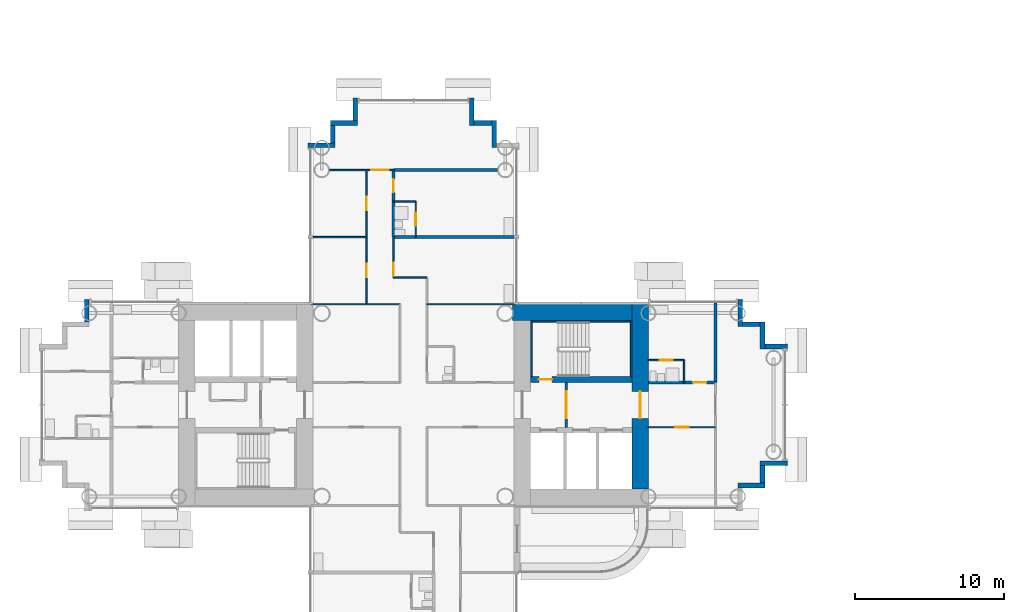
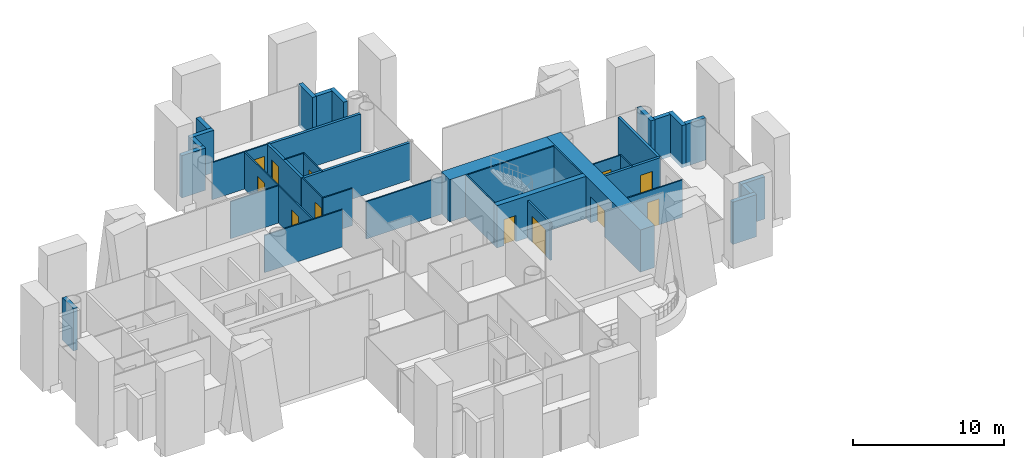
# One storey, part 12 of 23: 39 walls, 12 doors, 12 openings.
"""IFC4 building model written with IfcOpenShell, lengths in metres."""

from ifc_helpers import new_model, si_unit, direction, frame, frame_2d, origin, place, context, subcontext, project, spatial, rectangle, extrude, material, layer, layer_set, type_object, element, fill, save


model = new_model("IFC4")

# Units and contexts
model_context = context("Model", 3, precision=1e-05, world=origin(), true_north=direction((0.0, 1.0)))
body_context = subcontext(model_context, "Body", "Model", "MODEL_VIEW")
ifc_project = project(units=[si_unit("LENGTHUNIT", "METRE"), si_unit("AREAUNIT", "SQUARE_METRE"), si_unit("VOLUMEUNIT", "CUBIC_METRE"), si_unit("PLANEANGLEUNIT", "RADIAN"), si_unit("MASSUNIT", "GRAM", prefix="KILO")], contexts=[model_context])

# Site, building, storey
site_placement = place(None, origin())
site = spatial("IfcSite", under=ifc_project, at=site_placement, CompositionType="ELEMENT")
building_placement = place(site_placement, origin())
building = spatial("IfcBuilding", under=site, at=building_placement, Name="Ipe Terrace Towers", CompositionType="ELEMENT")
storey_placement = place(building_placement, frame((0.0, 0.0, 44.89990234375)))
storey = spatial("IfcBuildingStorey", under=building, at=storey_placement, Name="L11", CompositionType="ELEMENT", Elevation=44.89990234375)

# Walls
ifc_material_1 = material(Name="Concrete C40/50 with buff precast cladding", Category="concrete")
ifc_layer_1 = layer(ifc_material_1, 0.320068359375)
ifc_layer_set_1 = layer_set([ifc_layer_1], Name="BUFF CLADDING WALL 320")
wall_type_1 = type_object("IfcWallType", Name="BUFF CLADDING WALL 320", PredefinedType="STANDARD", material=ifc_layer_set_1)
wall_1_placement = place(storey_placement, frame((-14.25, -5.409912109375, -0.2998046875), z_axis=(0.0, 0.0, 1.0), x_axis=(1.0, 0.0, 0.0)))
element("IfcWall", 1, at=wall_1_placement, inside=storey, type_object=wall_type_1, Name="T1-W-L11-22a wall", PredefinedType="STANDARD", context=body_context, shape_type="SweptSolid", body=[
    extrude(rectangle(XDim=1.820068359375, YDim=0.320068359375, at=frame_2d((0.91015625, 0.0))), origin(), (0.0, 0.0, 1.0), 3.39990234375),
])
wall_2_placement = place(storey_placement, frame((-12.590087890625, -5.25, -0.2998046875), z_axis=(0.0, 0.0, 1.0), x_axis=(0.0, 1.0, 0.0)))
element("IfcWall", 2, at=wall_2_placement, inside=storey, type_object=wall_type_1, Name="T1-W-L11-23a wall", PredefinedType="STANDARD", context=body_context, shape_type="SweptSolid", body=[
    extrude(rectangle(XDim=1.179931640625, YDim=0.320068359375, at=frame_2d((0.58984375, 0.0))), origin(), (0.0, 0.0, 1.0), 3.39990234375),
])
wall_3_placement = place(storey_placement, frame((-12.75, -3.909912109375, -0.2998046875), z_axis=(0.0, 0.0, 1.0), x_axis=(1.0, 0.0, 0.0)))
element("IfcWall", 3, at=wall_3_placement, inside=storey, type_object=wall_type_1, Name="T1-W-L11-24a wall", PredefinedType="STANDARD", context=body_context, shape_type="SweptSolid", body=[
    extrude(rectangle(XDim=1.820068359375, YDim=0.320068359375, at=frame_2d((0.91015625, 0.0))), origin(), (0.0, 0.0, 1.0), 3.39990234375),
])
wall_4_placement = place(storey_placement, frame((-10.929931640625, 3.909912109375, -0.2998046875), z_axis=(0.0, 0.0, 1.0), x_axis=(-1.0, 0.0, 0.0)))
element("IfcWall", 4, at=wall_4_placement, inside=storey, type_object=wall_type_1, Name="T1-W-L11-26a wall", PredefinedType="STANDARD", context=body_context, shape_type="SweptSolid", body=[
    extrude(rectangle(XDim=1.5, YDim=0.320068359375, at=frame_2d((0.75, 0.0))), origin(), (0.0, 0.0, 1.0), 3.39990234375),
])
wall_5_placement = place(storey_placement, frame((-12.590087890625, 3.75, -0.2998046875), z_axis=(0.0, 0.0, 1.0), x_axis=(0.0, 1.0, 0.0)))
element("IfcWall", 5, at=wall_5_placement, inside=storey, type_object=wall_type_1, Name="T1-W-L11-27a wall", PredefinedType="STANDARD", context=body_context, shape_type="SweptSolid", body=[
    extrude(rectangle(XDim=1.820068359375, YDim=0.320068359375, at=frame_2d((0.91015625, 0.0))), origin(), (0.0, 0.0, 1.0), 3.39990234375),
])
wall_6_placement = place(storey_placement, frame((-12.75, 5.409912109375, -0.2998046875), z_axis=(0.0, 0.0, 1.0), x_axis=(-1.0, 0.0, 0.0)))
element("IfcWall", 6, at=wall_6_placement, inside=storey, type_object=wall_type_1, Name="T1-W-L11-28a wall", PredefinedType="STANDARD", context=body_context, shape_type="SweptSolid", body=[
    extrude(rectangle(XDim=1.179931640625, YDim=0.320068359375, at=frame_2d((0.58984375, 0.0))), origin(), (0.0, 0.0, 1.0), 3.39990234375),
])
for number, where, z_axis, x_axis, name in (
    (7, (-14.090087890625, 5.25, -0.2998046875), (0.0, 0.0, 1.0), (0.0, 1.0, 0.0), "T1-W-L11-29a wall"),
    (8, (-30.590087890625, 17.25, -0.2998046875), (0.0, 0.0, 1.0), (0.0, 1.0, 0.0), "T1-W-L11-35a wall"),
):
    element("IfcWall", number, at=place(storey_placement, frame(where, z_axis=z_axis, x_axis=x_axis)), inside=storey, type_object=wall_type_1, Name=name, PredefinedType="STANDARD", context=body_context, shape_type="SweptSolid", body=[
        extrude(rectangle(XDim=1.820068359375, YDim=0.320068359375, at=frame_2d((0.91015625, 0.0))), origin(), (0.0, 0.0, 1.0), 3.39990234375),
    ])
wall_7_placement = place(storey_placement, frame((-30.75, 18.909912109375, -0.2998046875), z_axis=(0.0, 0.0, 1.0), x_axis=(-1.0, 0.0, 0.0)))
element("IfcWall", 9, at=wall_7_placement, inside=storey, type_object=wall_type_1, Name="T1-W-L11-36a wall", PredefinedType="STANDARD", context=body_context, shape_type="SweptSolid", body=[
    extrude(rectangle(XDim=1.179931640625, YDim=0.320068359375, at=frame_2d((0.58984375, 0.0))), origin(), (0.0, 0.0, 1.0), 3.39990234375),
])
wall_8_placement = place(storey_placement, frame((-32.090087890625, 18.75, -0.2998046875), z_axis=(0.0, 0.0, 1.0), x_axis=(0.0, 1.0, 0.0)))
element("IfcWall", 10, at=wall_8_placement, inside=storey, type_object=wall_type_1, Name="T1-W-L11-37a wall", PredefinedType="STANDARD", context=body_context, shape_type="SweptSolid", body=[
    extrude(rectangle(XDim=1.820068359375, YDim=0.320068359375, at=frame_2d((0.91015625, 0.0))), origin(), (0.0, 0.0, 1.0), 3.39990234375),
])
wall_9_placement = place(storey_placement, frame((-39.909912109375, 20.570068359375, -0.2998046875), z_axis=(0.0, 0.0, 1.0), x_axis=(0.0, -1.0, 0.0)))
element("IfcWall", 11, at=wall_9_placement, inside=storey, type_object=wall_type_1, Name="T1-W-L11-39a wall", PredefinedType="STANDARD", context=body_context, shape_type="SweptSolid", body=[
    extrude(rectangle(XDim=1.5, YDim=0.320068359375, at=frame_2d((0.75, 0.0))), origin(), (0.0, 0.0, 1.0), 3.39990234375),
])
wall_10_placement = place(storey_placement, frame((-39.75, 18.909912109375, -0.2998046875), z_axis=(0.0, 0.0, 1.0), x_axis=(-1.0, 0.0, 0.0)))
element("IfcWall", 12, at=wall_10_placement, inside=storey, type_object=wall_type_1, Name="T1-W-L11-40a wall", PredefinedType="STANDARD", context=body_context, shape_type="SweptSolid", body=[
    extrude(rectangle(XDim=1.820068359375, YDim=0.320068359375, at=frame_2d((0.91015625, 0.0))), origin(), (0.0, 0.0, 1.0), 3.39990234375),
])
wall_11_placement = place(storey_placement, frame((-41.409912109375, 18.75, -0.2998046875), z_axis=(0.0, 0.0, 1.0), x_axis=(0.0, -1.0, 0.0)))
element("IfcWall", 13, at=wall_11_placement, inside=storey, type_object=wall_type_1, Name="T1-W-L11-41a wall", PredefinedType="STANDARD", context=body_context, shape_type="SweptSolid", body=[
    extrude(rectangle(XDim=1.179931640625, YDim=0.320068359375, at=frame_2d((0.58984375, 0.0))), origin(), (0.0, 0.0, 1.0), 3.39990234375),
])
wall_12_placement = place(storey_placement, frame((-41.25, 17.409912109375, -0.2998046875), z_axis=(0.0, 0.0, 1.0), x_axis=(-1.0, 0.0, 0.0)))
element("IfcWall", 14, at=wall_12_placement, inside=storey, type_object=wall_type_1, Name="T1-W-L11-42a wall", PredefinedType="STANDARD", context=body_context, shape_type="SweptSolid", body=[
    extrude(rectangle(XDim=1.820068359375, YDim=0.320068359375, at=frame_2d((0.91015625, 0.0))), origin(), (0.0, 0.0, 1.0), 3.39990234375),
])
wall_13_placement = place(storey_placement, frame((-57.909912109375, 7.070068359375, -0.2998046875), z_axis=(0.0, 0.0, 1.0), x_axis=(0.0, -1.0, 0.0)))
element("IfcWall", 15, at=wall_13_placement, inside=storey, type_object=wall_type_1, Name="T1-W-L11-47a wall", PredefinedType="STANDARD", context=body_context, shape_type="SweptSolid", body=[
    extrude(rectangle(XDim=1.5, YDim=0.320068359375, at=frame_2d((0.75, 0.0))), origin(), (0.0, 0.0, 1.0), 3.39990234375),
])

# Wall, openings, doors
ifc_material_2 = material(Name="Gypsum board partition", Category="plasterboard")
ifc_layer_2 = layer(ifc_material_2, 0.10009765625)
ifc_layer_set_2 = layer_set([ifc_layer_2], Name="Gypsum board partition 100 mm")
wall_type_2 = type_object("IfcWallType", Name="Gypsum board partition 100 mm", PredefinedType="PARTITIONING", material=ifc_layer_set_2)
wall_14_placement = place(storey_placement, frame((-39.14990234375, 6.75, 0.0), z_axis=(0.0, 0.0, 1.0), x_axis=(0.0, 1.0, 0.0)))
wall_14 = element("IfcWall", 16, at=wall_14_placement, inside=storey, type_object=wall_type_2, Name="Gypsum board partition T1 L11 W04", PredefinedType="PARTITIONING", context=body_context, shape_type="SweptSolid", body=[
    extrude(rectangle(XDim=9.0, YDim=0.10009765625, at=frame_2d((4.5, 0.0))), origin(), (0.0, 0.0, 1.0), 3.0),
])
opening_1_placement = place(wall_14_placement, frame((1.800048828125, 0.0, 0.0)))
opening_1 = element("IfcOpeningElement", 17, at=opening_1_placement, cuts=wall_14, Name="Opening T1-Z1C-06", PredefinedType="OPENING", context=body_context, shape_type="SweptSolid", body=[
    extrude(rectangle(XDim=0.89990234375, YDim=2.10009765625, at=frame_2d((0.449951171875, 1.050048828125))), frame((0.0, 0.06005859375, 0.0), z_axis=(0.0, -1.0, 0.0), x_axis=(1.0, 0.0, 0.0)), (0.0, 0.0, 1.0), 0.1201171875),
])
opening_2_placement = place(wall_14_placement, frame((6.300048828125, 0.0, 0.0)))
opening_2 = element("IfcOpeningElement", 18, at=opening_2_placement, cuts=wall_14, Name="Opening T1-Z1C-07", PredefinedType="OPENING", context=body_context, shape_type="SweptSolid", body=[
    extrude(rectangle(XDim=0.89990234375, YDim=2.10009765625, at=frame_2d((0.449951171875, 1.050048828125))), frame((0.0, 0.06005859375, 0.0), z_axis=(0.0, -1.0, 0.0), x_axis=(1.0, 0.0, 0.0)), (0.0, 0.0, 1.0), 0.1201171875),
])
ifc_material_3 = material(Name="Timber door leaf", Category="wood")
door_type_1 = type_object("IfcDoorType", Name="Lounge door 900 x 2100", OperationType="NOTDEFINED", PredefinedType="DOOR", material=ifc_material_3)
door_1_placement = place(opening_1_placement, origin())
door_1 = element("IfcDoor", 19, at=door_1_placement, inside=storey, type_object=door_type_1, Name="Lounge door T1-Z1C-06", OperationType="SINGLE_SWING_RIGHT", OverallHeight=2.10009765625, OverallWidth=0.89990234375, PredefinedType="DOOR", context=body_context, shape_type="SweptSolid", body=[
    extrude(rectangle(XDim=0.89990234375, YDim=2.10009765625, at=frame_2d((0.449951171875, 1.050048828125))), frame((0.0, 0.02490234375, 0.0), z_axis=(0.0, -1.0, 0.0), x_axis=(1.0, 0.0, 0.0)), (0.0, 0.0, 1.0), 0.050048828125),
])
fill(opening_1, door_1)
door_2_placement = place(opening_2_placement, origin())
door_2 = element("IfcDoor", 20, at=door_2_placement, inside=storey, type_object=door_type_1, Name="Lounge door T1-Z1C-07", OperationType="SINGLE_SWING_LEFT", OverallHeight=2.10009765625, OverallWidth=0.89990234375, PredefinedType="DOOR", context=body_context, shape_type="SweptSolid", body=[
    extrude(rectangle(XDim=0.89990234375, YDim=2.10009765625, at=frame_2d((0.449951171875, 1.050048828125))), frame((0.0, 0.02490234375, 0.0), z_axis=(0.0, -1.0, 0.0), x_axis=(1.0, 0.0, 0.0)), (0.0, 0.0, 1.0), 0.050048828125),
])
fill(opening_2, door_2)

# Wall, opening, door
wall_15_placement = place(storey_placement, frame((-37.35009765625, 8.550048828125, 0.0), z_axis=(0.0, 0.0, 1.0), x_axis=(0.0, 1.0, 0.0)))
wall_15 = element("IfcWall", 21, at=wall_15_placement, inside=storey, type_object=wall_type_2, Name="Gypsum board partition T1 L11 W05", PredefinedType="PARTITIONING", context=body_context, shape_type="SweptSolid", body=[
    extrude(rectangle(XDim=2.699951171875, YDim=0.10009765625, at=frame_2d((1.35009765625, 0.0))), origin(), (0.0, 0.0, 1.0), 3.0),
])
opening_3_placement = place(wall_15_placement, frame((0.070068359375, 0.0, 0.0)))
opening_3 = element("IfcOpeningElement", 22, at=opening_3_placement, cuts=wall_15, Name="Opening T1-Z1C-08", PredefinedType="OPENING", context=body_context, shape_type="SweptSolid", body=[
    extrude(rectangle(XDim=0.89990234375, YDim=2.10009765625, at=frame_2d((0.449951171875, 1.050048828125))), frame((0.0, 0.06005859375, 0.0), z_axis=(0.0, -1.0, 0.0), x_axis=(1.0, 0.0, 0.0)), (0.0, 0.0, 1.0), 0.1201171875),
])
door_3_placement = place(opening_3_placement, origin())
door_3 = element("IfcDoor", 23, at=door_3_placement, inside=storey, type_object=door_type_1, Name="Lounge door T1-Z1C-08", OperationType="SINGLE_SWING_LEFT", OverallHeight=2.10009765625, OverallWidth=0.89990234375, PredefinedType="DOOR", context=body_context, shape_type="SweptSolid", body=[
    extrude(rectangle(XDim=0.89990234375, YDim=2.10009765625, at=frame_2d((0.449951171875, 1.050048828125))), frame((0.0, 0.02490234375, 0.0), z_axis=(0.0, -1.0, 0.0), x_axis=(1.0, 0.0, 0.0)), (0.0, 0.0, 1.0), 0.050048828125),
])
fill(opening_3, door_3)

wall_16_placement = place(storey_placement, frame((-35.85009765625, 11.25, 0.0), z_axis=(0.0, 0.0, 1.0), x_axis=(0.0, 1.0, 0.0)))
wall_16 = element("IfcWall", 24, at=wall_16_placement, inside=storey, type_object=wall_type_2, Name="Gypsum board partition T1 L11 W10", PredefinedType="PARTITIONING", context=body_context, shape_type="SweptSolid", body=[
    extrude(rectangle(XDim=2.39990234375, YDim=0.10009765625, at=frame_2d((1.199951171875, 0.0))), origin(), (0.0, 0.0, 1.0), 3.0),
])
opening_4_placement = place(wall_16_placement, frame((0.75, 0.0, 0.0)))
opening_4 = element("IfcOpeningElement", 25, at=opening_4_placement, cuts=wall_16, Name="Opening T1-Z1C-10", PredefinedType="OPENING", context=body_context, shape_type="SweptSolid", body=[
    extrude(rectangle(XDim=0.89990234375, YDim=2.10009765625, at=frame_2d((0.449951171875, 1.050048828125))), frame((0.0, 0.06005859375, 0.0), z_axis=(0.0, -1.0, 0.0), x_axis=(1.0, 0.0, 0.0)), (0.0, 0.0, 1.0), 0.1201171875),
])
ifc_material_4 = material(Name="Timber door leaf", Category="wood")
door_type_2 = type_object("IfcDoorType", Name="Bathroom door 900 x 2100", OperationType="NOTDEFINED", PredefinedType="DOOR", material=ifc_material_4)
door_4_placement = place(opening_4_placement, origin())
door_4 = element("IfcDoor", 26, at=door_4_placement, inside=storey, type_object=door_type_2, Name="Bathroom door T1-Z1C-10", OperationType="SINGLE_SWING_RIGHT", OverallHeight=2.10009765625, OverallWidth=0.89990234375, PredefinedType="DOOR", context=body_context, shape_type="SweptSolid", body=[
    extrude(rectangle(XDim=0.89990234375, YDim=2.10009765625, at=frame_2d((0.449951171875, 1.050048828125))), frame((0.0, 0.02490234375, 0.0), z_axis=(0.0, -1.0, 0.0), x_axis=(1.0, 0.0, 0.0)), (0.0, 0.0, 1.0), 0.050048828125),
])
fill(opening_4, door_4)

# Wall
wall_17_placement = place(storey_placement, frame((-17.85009765625, 1.5, 0.0), z_axis=(0.0, 0.0, 1.0), x_axis=(0.0, 1.0, 0.0)))
element("IfcWall", 27, at=wall_17_placement, inside=storey, type_object=wall_type_2, Name="Gypsum board partition T1 L11 W17", PredefinedType="PARTITIONING", context=body_context, shape_type="SweptSolid", body=[
    extrude(rectangle(XDim=1.5, YDim=0.10009765625, at=frame_2d((0.75, 0.0))), origin(), (0.0, 0.0, 1.0), 3.0),
])

# Wall, opening, door
wall_18_placement = place(storey_placement, frame((-20.25, -1.5, 0.0), z_axis=(0.0, 0.0, 1.0), x_axis=(1.0, 0.0, 0.0)))
wall_18 = element("IfcWall", 28, at=wall_18_placement, inside=storey, type_object=wall_type_2, Name="Gypsum board partition T1 L11 W32", PredefinedType="PARTITIONING", context=body_context, shape_type="SweptSolid", body=[
    extrude(rectangle(XDim=4.5, YDim=0.10009765625, at=frame_2d((2.25, 0.0))), origin(), (0.0, 0.0, 1.0), 3.0),
])
opening_5_placement = place(wall_18_placement, frame((1.800048828125, 0.0, 0.0)))
opening_5 = element("IfcOpeningElement", 29, at=opening_5_placement, cuts=wall_18, Name="Opening T1-Z1C-20", PredefinedType="OPENING", context=body_context, shape_type="SweptSolid", body=[
    extrude(rectangle(XDim=0.89990234375, YDim=2.10009765625, at=frame_2d((0.449951171875, 1.050048828125))), frame((0.0, 0.06005859375, 0.0), z_axis=(0.0, -1.0, 0.0), x_axis=(1.0, 0.0, 0.0)), (0.0, 0.0, 1.0), 0.1201171875),
])
door_5_placement = place(opening_5_placement, origin())
door_5 = element("IfcDoor", 30, at=door_5_placement, inside=storey, type_object=door_type_1, Name="Lounge door T1-Z1C-20", OperationType="SINGLE_SWING_RIGHT", OverallHeight=2.10009765625, OverallWidth=0.89990234375, PredefinedType="DOOR", context=body_context, shape_type="SweptSolid", body=[
    extrude(rectangle(XDim=0.89990234375, YDim=2.10009765625, at=frame_2d((0.449951171875, 1.050048828125))), frame((0.0, 0.02490234375, 0.0), z_axis=(0.0, -1.0, 0.0), x_axis=(1.0, 0.0, 0.0)), (0.0, 0.0, 1.0), 0.050048828125),
])
fill(opening_5, door_5)

wall_19_placement = place(storey_placement, frame((-20.25, 3.0, 0.0), z_axis=(0.0, 0.0, 1.0), x_axis=(1.0, 0.0, 0.0)))
wall_19 = element("IfcWall", 31, at=wall_19_placement, inside=storey, type_object=wall_type_2, Name="Gypsum board partition T1 L11 W39", PredefinedType="PARTITIONING", context=body_context, shape_type="SweptSolid", body=[
    extrude(rectangle(XDim=2.39990234375, YDim=0.10009765625, at=frame_2d((1.199951171875, 0.0))), origin(), (0.0, 0.0, 1.0), 3.0),
])
opening_6_placement = place(wall_19_placement, frame((0.75, 0.0, 0.0)))
opening_6 = element("IfcOpeningElement", 32, at=opening_6_placement, cuts=wall_19, Name="Opening T1-Z1C-19", PredefinedType="OPENING", context=body_context, shape_type="SweptSolid", body=[
    extrude(rectangle(XDim=0.89990234375, YDim=2.10009765625, at=frame_2d((0.449951171875, 1.050048828125))), frame((0.0, 0.06005859375, 0.0), z_axis=(0.0, -1.0, 0.0), x_axis=(1.0, 0.0, 0.0)), (0.0, 0.0, 1.0), 0.1201171875),
])
door_6_placement = place(opening_6_placement, origin())
door_6 = element("IfcDoor", 33, at=door_6_placement, inside=storey, type_object=door_type_2, Name="Bathroom door T1-Z1C-19", OperationType="SINGLE_SWING_RIGHT", OverallHeight=2.10009765625, OverallWidth=0.89990234375, PredefinedType="DOOR", context=body_context, shape_type="SweptSolid", body=[
    extrude(rectangle(XDim=0.89990234375, YDim=2.10009765625, at=frame_2d((0.449951171875, 1.050048828125))), frame((0.0, 0.02490234375, 0.0), z_axis=(0.0, -1.0, 0.0), x_axis=(1.0, 0.0, 0.0)), (0.0, 0.0, 1.0), 0.050048828125),
])
fill(opening_6, door_6)

# Walls
for number, where, z_axis, x_axis, name in (
    (34, (-42.85009765625, 6.75, 0.0), (0.0, 0.0, 1.0), (1.0, 0.0, 0.0), "Gypsum board partition T1 L11 W42"),
    (35, (-35.10009765625, 6.75, 0.0), (0.0, 0.0, 1.0), (1.0, 0.0, 0.0), "Gypsum board partition T1 L11 W43"),
):
    element("IfcWall", number, at=place(storey_placement, frame(where, z_axis=z_axis, x_axis=x_axis)), inside=storey, type_object=wall_type_2, Name=name, PredefinedType="PARTITIONING", context=body_context, shape_type="SweptSolid", body=[
        extrude(rectangle(XDim=5.9501953125, YDim=0.10009765625, at=frame_2d((2.97509765625, 0.0))), origin(), (0.0, 0.0, 1.0), 3.0),
    ])
wall_20_placement = place(storey_placement, frame((-37.35009765625, 8.550048828125, 0.0), z_axis=(0.0, 0.0, 1.0), x_axis=(1.0, 0.0, 0.0)))
element("IfcWall", 36, at=wall_20_placement, inside=storey, type_object=wall_type_2, Name="Gypsum board partition T1 L11 W44", PredefinedType="PARTITIONING", context=body_context, shape_type="SweptSolid", body=[
    extrude(rectangle(XDim=2.25, YDim=0.10009765625, at=frame_2d((1.125, 0.0))), origin(), (0.0, 0.0, 1.0), 3.0),
])
wall_21_placement = place(storey_placement, frame((-42.85009765625, 11.25, 0.0), z_axis=(0.0, 0.0, 1.0), x_axis=(1.0, 0.0, 0.0)))
element("IfcWall", 37, at=wall_21_placement, inside=storey, type_object=wall_type_2, Name="Gypsum board partition T1 L11 W45", PredefinedType="PARTITIONING", context=body_context, shape_type="SweptSolid", body=[
    extrude(rectangle(XDim=3.7001953125, YDim=0.10009765625, at=frame_2d((1.85009765625, 0.0))), origin(), (0.0, 0.0, 1.0), 3.0),
])
wall_22_placement = place(storey_placement, frame((-37.35009765625, 13.64990234375, 0.0), z_axis=(0.0, 0.0, 1.0), x_axis=(1.0, 0.0, 0.0)))
element("IfcWall", 38, at=wall_22_placement, inside=storey, type_object=wall_type_2, Name="Gypsum board partition T1 L11 W47", PredefinedType="PARTITIONING", context=body_context, shape_type="SweptSolid", body=[
    extrude(rectangle(XDim=1.5, YDim=0.10009765625, at=frame_2d((0.75, 0.0))), origin(), (0.0, 0.0, 1.0), 3.0),
])

# Wall, opening, door
wall_23_placement = place(storey_placement, frame((-41.64990234375, 15.75, 0.0), z_axis=(0.0, 0.0, 1.0), x_axis=(1.0, 0.0, 0.0)))
wall_23 = element("IfcWall", 39, at=wall_23_placement, inside=storey, type_object=wall_type_2, Name="Gypsum board partition T1 L11 W48", PredefinedType="PARTITIONING", context=body_context, shape_type="SweptSolid", body=[
    extrude(rectangle(XDim=4.2998046875, YDim=0.10009765625, at=frame_2d((2.14990234375, 0.0))), origin(), (0.0, 0.0, 1.0), 3.0),
])
opening_7_placement = place(wall_23_placement, frame((2.800048828125, 0.0, 0.0)))
opening_7 = element("IfcOpeningElement", 40, at=opening_7_placement, cuts=wall_23, Name="Opening T1-Z1C-11", PredefinedType="OPENING", context=body_context, shape_type="SweptSolid", body=[
    extrude(rectangle(XDim=1.199951171875, YDim=2.10009765625, at=frame_2d((0.60009765625, 1.050048828125))), frame((0.0, 0.06005859375, 0.0), z_axis=(0.0, -1.0, 0.0), x_axis=(1.0, 0.0, 0.0)), (0.0, 0.0, 1.0), 0.1201171875),
])
ifc_material_5 = material(Name="Timber door leaf", Category="wood")
door_type_3 = type_object("IfcDoorType", Name="Lounge door 1200 x 2100", OperationType="NOTDEFINED", PredefinedType="DOOR", material=ifc_material_5)
door_7_placement = place(opening_7_placement, origin())
door_7 = element("IfcDoor", 41, at=door_7_placement, inside=storey, type_object=door_type_3, Name="Lounge door T1-Z1C-11", OperationType="SINGLE_SWING_LEFT", OverallHeight=2.10009765625, OverallWidth=1.199951171875, PredefinedType="DOOR", context=body_context, shape_type="SweptSolid", body=[
    extrude(rectangle(XDim=1.199951171875, YDim=2.10009765625, at=frame_2d((0.60009765625, 1.050048828125))), frame((0.0, 0.02490234375, 0.0), z_axis=(0.0, -1.0, 0.0), x_axis=(1.0, 0.0, 0.0)), (0.0, 0.0, 1.0), 0.050048828125),
])
fill(opening_7, door_7)

ifc_material_6 = material(Name="Gypsum board partition", Category="plasterboard")
ifc_layer_3 = layer(ifc_material_6, 0.14990234375)
ifc_layer_set_3 = layer_set([ifc_layer_3], Name="Gypsum board partition 150 mm")
wall_type_3 = type_object("IfcWallType", Name="Gypsum board partition 150 mm", PredefinedType="PARTITIONING", material=ifc_layer_set_3)
wall_24_placement = place(storey_placement, frame((-25.75, -1.5, 0.0), z_axis=(0.0, 0.0, 1.0), x_axis=(0.0, 1.0, 0.0)))
wall_24 = element("IfcWall", 42, at=wall_24_placement, inside=storey, type_object=wall_type_3, Name="Gypsum board partition T1 L11 t1c1-lobby-wall", PredefinedType="PARTITIONING", context=body_context, shape_type="SweptSolid", body=[
    extrude(rectangle(XDim=3.0, YDim=0.14990234375, at=frame_2d((1.5, 0.0))), origin(), (0.0, 0.0, 1.0), 3.0),
])
opening_8_placement = place(wall_24_placement, frame((0.60009765625, 0.0, 0.0)))
opening_8 = element("IfcOpeningElement", 43, at=opening_8_placement, cuts=wall_24, Name="Opening T1C1-VD", PredefinedType="OPENING", context=body_context, shape_type="SweptSolid", body=[
    extrude(rectangle(XDim=1.800048828125, YDim=2.10009765625, at=frame_2d((0.89990234375, 1.050048828125))), frame((0.0, 0.0849609375, 0.0), z_axis=(0.0, -1.0, 0.0), x_axis=(1.0, 0.0, 0.0)), (0.0, 0.0, 1.0), 0.169921875),
])
ifc_material_7 = material(Name="Fire-rated timber door leaf", Category="wood")
door_type_4 = type_object("IfcDoorType", Name="Lobby door 1800 x 2100 FD60", OperationType="NOTDEFINED", PredefinedType="DOOR", material=ifc_material_7)
door_8_placement = place(opening_8_placement, origin())
door_8 = element("IfcDoor", 44, at=door_8_placement, inside=storey, type_object=door_type_4, Name="Lobby door T1C1-VD", OperationType="SINGLE_SWING_LEFT", OverallHeight=2.10009765625, OverallWidth=1.800048828125, PredefinedType="DOOR", context=body_context, shape_type="SweptSolid", body=[
    extrude(rectangle(XDim=1.800048828125, YDim=2.10009765625, at=frame_2d((0.89990234375, 1.050048828125))), frame((0.0, 0.02490234375, 0.0), z_axis=(0.0, -1.0, 0.0), x_axis=(1.0, 0.0, 0.0)), (0.0, 0.0, 1.0), 0.050048828125),
])
fill(opening_8, door_8)

ifc_material_8 = material(Name="Gypsum board party wall", Category="plasterboard")
ifc_layer_4 = layer(ifc_material_8, 0.199951171875)
ifc_layer_set_4 = layer_set([ifc_layer_4], Name="Gypsum board party wall 200 mm")
wall_type_4 = type_object("IfcWallType", Name="Gypsum board party wall 200 mm", PredefinedType="SOLIDWALL", material=ifc_layer_set_4)
wall_25_placement = place(storey_placement, frame((-37.35009765625, 11.25, 0.0), z_axis=(0.0, 0.0, 1.0), x_axis=(0.0, 1.0, 0.0)))
wall_25 = element("IfcWall", 45, at=wall_25_placement, inside=storey, type_object=wall_type_4, Name="Gypsum board party wall T1 L11 W06", PredefinedType="SOLIDWALL", context=body_context, shape_type="SweptSolid", body=[
    extrude(rectangle(XDim=4.5, YDim=0.199951171875, at=frame_2d((2.25, 0.0))), origin(), (0.0, 0.0, 1.0), 3.0),
])
opening_9_placement = place(wall_25_placement, frame((3.0, 0.0, 0.0)))
opening_9 = element("IfcOpeningElement", 46, at=opening_9_placement, cuts=wall_25, Name="Opening T1-Z1C-09", PredefinedType="OPENING", context=body_context, shape_type="SweptSolid", body=[
    extrude(rectangle(XDim=0.89990234375, YDim=2.10009765625, at=frame_2d((0.449951171875, 1.050048828125))), frame((0.0, 0.10986328125, 0.0), z_axis=(0.0, -1.0, 0.0), x_axis=(1.0, 0.0, 0.0)), (0.0, 0.0, 1.0), 0.219970703125),
])
ifc_material_9 = material(Name="Fire-rated timber door leaf", Category="wood")
door_type_5 = type_object("IfcDoorType", Name="Flat entrance door 900 x 2100 FD30S", OperationType="NOTDEFINED", PredefinedType="DOOR", material=ifc_material_9)
door_9_placement = place(opening_9_placement, origin())
door_9 = element("IfcDoor", 47, at=door_9_placement, inside=storey, type_object=door_type_5, Name="Flat entrance door T1-Z1C-09", OperationType="SINGLE_SWING_RIGHT", OverallHeight=2.10009765625, OverallWidth=0.89990234375, PredefinedType="DOOR", context=body_context, shape_type="SweptSolid", body=[
    extrude(rectangle(XDim=0.89990234375, YDim=2.10009765625, at=frame_2d((0.449951171875, 1.050048828125))), frame((0.0, 0.02490234375, 0.0), z_axis=(0.0, -1.0, 0.0), x_axis=(1.0, 0.0, 0.0)), (0.0, 0.0, 1.0), 0.050048828125),
])
fill(opening_9, door_9)

# Wall
wall_26_placement = place(storey_placement, frame((-15.75, 1.5, 0.0), z_axis=(0.0, 0.0, 1.0), x_axis=(0.0, 1.0, 0.0)))
element("IfcWall", 48, at=wall_26_placement, inside=storey, type_object=wall_type_4, Name="Gypsum board party wall T1 L11 W19", PredefinedType="SOLIDWALL", context=body_context, shape_type="SweptSolid", body=[
    extrude(rectangle(XDim=5.35009765625, YDim=0.199951171875, at=frame_2d((2.675048828125, 0.0))), origin(), (0.0, 0.0, 1.0), 3.0),
])

# Wall, opening, door
wall_27_placement = place(storey_placement, frame((-20.25, 1.5, 0.0), z_axis=(0.0, 0.0, 1.0), x_axis=(1.0, 0.0, 0.0)))
wall_27 = element("IfcWall", 49, at=wall_27_placement, inside=storey, type_object=wall_type_4, Name="Gypsum board party wall T1 L11 W37", PredefinedType="SOLIDWALL", context=body_context, shape_type="SweptSolid", body=[
    extrude(rectangle(XDim=4.5, YDim=0.199951171875, at=frame_2d((2.25, 0.0))), origin(), (0.0, 0.0, 1.0), 3.0),
])
opening_10_placement = place(wall_27_placement, frame((3.0, 0.0, 0.0)))
opening_10 = element("IfcOpeningElement", 50, at=opening_10_placement, cuts=wall_27, Name="Opening T1-Z1C-18", PredefinedType="OPENING", context=body_context, shape_type="SweptSolid", body=[
    extrude(rectangle(XDim=0.89990234375, YDim=2.10009765625, at=frame_2d((0.449951171875, 1.050048828125))), frame((0.0, 0.10986328125, 0.0), z_axis=(0.0, -1.0, 0.0), x_axis=(1.0, 0.0, 0.0)), (0.0, 0.0, 1.0), 0.219970703125),
])
door_10_placement = place(opening_10_placement, origin())
door_10 = element("IfcDoor", 51, at=door_10_placement, inside=storey, type_object=door_type_5, Name="Flat entrance door T1-Z1C-18", OperationType="SINGLE_SWING_LEFT", OverallHeight=2.10009765625, OverallWidth=0.89990234375, PredefinedType="DOOR", context=body_context, shape_type="SweptSolid", body=[
    extrude(rectangle(XDim=0.89990234375, YDim=2.10009765625, at=frame_2d((0.449951171875, 1.050048828125))), frame((0.0, 0.02490234375, 0.0), z_axis=(0.0, -1.0, 0.0), x_axis=(1.0, 0.0, 0.0)), (0.0, 0.0, 1.0), 0.050048828125),
])
fill(opening_10, door_10)

# Walls
wall_28_placement = place(storey_placement, frame((-37.35009765625, 11.25, 0.0), z_axis=(0.0, 0.0, 1.0), x_axis=(1.0, 0.0, 0.0)))
element("IfcWall", 52, at=wall_28_placement, inside=storey, type_object=wall_type_4, Name="Gypsum board party wall T1 L11 W46", PredefinedType="SOLIDWALL", context=body_context, shape_type="SweptSolid", body=[
    extrude(rectangle(XDim=8.2001953125, YDim=0.199951171875, at=frame_2d((4.10009765625, 0.0))), origin(), (0.0, 0.0, 1.0), 3.0),
])
wall_29_placement = place(storey_placement, frame((-37.35009765625, 15.75, 0.0), z_axis=(0.0, 0.0, 1.0), x_axis=(1.0, 0.0, 0.0)))
element("IfcWall", 53, at=wall_29_placement, inside=storey, type_object=wall_type_4, Name="Gypsum board party wall T1 L11 W49", PredefinedType="SOLIDWALL", context=body_context, shape_type="SweptSolid", body=[
    extrude(rectangle(XDim=7.0, YDim=0.199951171875, at=frame_2d((3.5, 0.0))), origin(), (0.0, 0.0, 1.0), 3.0),
])
ifc_material_10 = material(Name="Concrete C60/75", Category="concrete")
ifc_layer_5 = layer(ifc_material_10, 0.10009765625)
ifc_layer_set_5 = layer_set([ifc_layer_5], Name="RW100 CORE INFILL WALL 100 C60-75")
wall_type_5 = type_object("IfcWallType", Name="RW100 CORE INFILL WALL 100 C60-75", PredefinedType="SHEAR", material=ifc_layer_set_5)
wall_30_placement = place(storey_placement, frame((-21.39990234375, 1.89990234375, 0.0), z_axis=(0.0, 0.0, 1.0), x_axis=(0.0, 1.0, 0.0)))
element("IfcWall", 54, at=wall_30_placement, inside=storey, type_object=wall_type_5, Name="Core infill wall T1-C1-far", PredefinedType="SHEAR", context=body_context, shape_type="SweptSolid", body=[
    extrude(rectangle(XDim=3.75, YDim=0.10009765625, at=frame_2d((1.875, 0.0))), origin(), (0.0, 0.0, 1.0), 3.400146484375),
])
wall_31_placement = place(storey_placement, frame((-28.050048828125, 5.60009765625, 0.0), z_axis=(0.0, 0.0, 1.0), x_axis=(1.0, 0.0, 0.0)))
element("IfcWall", 55, at=wall_31_placement, inside=storey, type_object=wall_type_5, Name="Core infill wall T1-C1-back", PredefinedType="SHEAR", context=body_context, shape_type="SweptSolid", body=[
    extrude(rectangle(XDim=6.60009765625, YDim=0.10009765625, at=frame_2d((3.300048828125, 0.0))), origin(), (0.0, 0.0, 1.0), 3.400146484375),
])
wall_32_placement = place(storey_placement, frame((-28.10009765625, 1.89990234375, 0.0), z_axis=(0.0, 0.0, 1.0), x_axis=(0.0, 1.0, 0.0)))
element("IfcWall", 56, at=wall_32_placement, inside=storey, type_object=wall_type_5, Name="Core infill wall T1-C1-near", PredefinedType="SHEAR", context=body_context, shape_type="SweptSolid", body=[
    extrude(rectangle(XDim=3.75, YDim=0.10009765625, at=frame_2d((1.875, 0.0))), origin(), (0.0, 0.0, 1.0), 3.400146484375),
])

# Wall, opening, door
ifc_material_11 = material(Name="Concrete C60/75", Category="concrete")
ifc_layer_6 = layer(ifc_material_11, 1.10009765625)
ifc_layer_set_6 = layer_set([ifc_layer_6], Name="RW1100 CORE WALL 1100 C60-75")
wall_type_6 = type_object("IfcWallType", Name="RW1100 CORE WALL 1100 C60-75", PredefinedType="SHEAR", material=ifc_layer_set_6)
wall_33_placement = place(storey_placement, frame((-20.800048828125, -5.64990234375, 0.0), z_axis=(0.0, 0.0, 1.0), x_axis=(0.0, 1.0, 0.0)))
wall_33 = element("IfcWall", 57, at=wall_33_placement, inside=storey, type_object=wall_type_6, Name="Core wall T1-C1-Z1-W02", PredefinedType="SHEAR", context=body_context, shape_type="SweptSolid", body=[
    extrude(rectangle(XDim=12.39990234375, YDim=1.10009765625, at=frame_2d((6.199951171875, 0.0))), origin(), (0.0, 0.0, 1.0), 3.400146484375),
])
opening_11_placement = place(wall_33_placement, frame((4.75, 0.0, 0.0)))
opening_11 = element("IfcOpeningElement", 58, at=opening_11_placement, cuts=wall_33, Name="Opening T1C1-FD", PredefinedType="OPENING", context=body_context, shape_type="SweptSolid", body=[
    extrude(rectangle(XDim=1.800048828125, YDim=2.10009765625, at=frame_2d((0.89990234375, 1.050048828125))), frame((0.0, 0.56005859375, 0.0), z_axis=(0.0, -1.0, 0.0), x_axis=(1.0, 0.0, 0.0)), (0.0, 0.0, 1.0), 1.1201171875),
])
ifc_material_12 = material(Name="Fire-rated timber door leaf", Category="wood")
door_type_6 = type_object("IfcDoorType", Name="Fire door 1800 x 2100 FD30S", OperationType="NOTDEFINED", PredefinedType="DOOR", material=ifc_material_12)
door_11_placement = place(opening_11_placement, origin())
door_11 = element("IfcDoor", 59, at=door_11_placement, inside=storey, type_object=door_type_6, Name="Fire door T1C1-FD", OperationType="SINGLE_SWING_LEFT", OverallHeight=2.10009765625, OverallWidth=1.800048828125, PredefinedType="DOOR", context=body_context, shape_type="SweptSolid", body=[
    extrude(rectangle(XDim=1.800048828125, YDim=2.10009765625, at=frame_2d((0.89990234375, 1.050048828125))), frame((0.0, 0.02490234375, 0.0), z_axis=(0.0, -1.0, 0.0), x_axis=(1.0, 0.0, 0.0)), (0.0, 0.0, 1.0), 0.050048828125),
])
fill(opening_11, door_11)

# Wall
wall_34_placement = place(storey_placement, frame((-21.35009765625, 6.199951171875, 0.0), z_axis=(0.0, 0.0, 1.0), x_axis=(-1.0, 0.0, 0.0)))
element("IfcWall", 60, at=wall_34_placement, inside=storey, type_object=wall_type_6, Name="Core wall T1-C1-Z1-W03", PredefinedType="SHEAR", context=body_context, shape_type="SweptSolid", body=[
    extrude(rectangle(XDim=7.997802734375, YDim=1.10009765625, at=frame_2d((3.9990234375, 0.0))), origin(), (0.0, 0.0, 1.0), 3.400146484375),
])

# Wall, opening, door
ifc_material_13 = material(Name="Concrete C60/75", Category="concrete")
ifc_layer_7 = layer(ifc_material_13, 0.39990234375)
ifc_layer_set_7 = layer_set([ifc_layer_7], Name="RW400 CORE SPINE WALL 400 C60-75")
wall_type_7 = type_object("IfcWallType", Name="RW400 CORE SPINE WALL 400 C60-75", PredefinedType="SHEAR", material=ifc_layer_set_7)
wall_35_placement = place(storey_placement, frame((-28.14990234375, 1.699951171875, 0.0), z_axis=(0.0, 0.0, 1.0), x_axis=(1.0, 0.0, 0.0)))
wall_35 = element("IfcWall", 61, at=wall_35_placement, inside=storey, type_object=wall_type_7, Name="Core spine wall T1-C1-Z1-SW2", PredefinedType="SHEAR", context=body_context, shape_type="SweptSolid", body=[
    extrude(rectangle(XDim=6.7998046875, YDim=0.39990234375, at=frame_2d((3.39990234375, 0.0))), origin(), (0.0, 0.0, 1.0), 3.400146484375),
])
opening_12_placement = place(wall_35_placement, frame((0.550048828125, 0.0, 0.0)))
opening_12 = element("IfcOpeningElement", 62, at=opening_12_placement, cuts=wall_35, Name="Opening T1C1-SD", PredefinedType="OPENING", context=body_context, shape_type="SweptSolid", body=[
    extrude(rectangle(XDim=0.89990234375, YDim=2.10009765625, at=frame_2d((0.449951171875, 1.050048828125))), frame((0.0, 0.2099609375, 0.0), z_axis=(0.0, -1.0, 0.0), x_axis=(1.0, 0.0, 0.0)), (0.0, 0.0, 1.0), 0.419921875),
])
ifc_material_14 = material(Name="Fire-rated timber door leaf", Category="wood")
door_type_7 = type_object("IfcDoorType", Name="Stair door 900 x 2100 FD60", OperationType="NOTDEFINED", PredefinedType="DOOR", material=ifc_material_14)
door_12_placement = place(opening_12_placement, origin())
door_12 = element("IfcDoor", 63, at=door_12_placement, inside=storey, type_object=door_type_7, Name="Stair door T1C1-SD", OperationType="SINGLE_SWING_LEFT", OverallHeight=2.10009765625, OverallWidth=0.89990234375, PredefinedType="DOOR", context=body_context, shape_type="SweptSolid", body=[
    extrude(rectangle(XDim=0.89990234375, YDim=2.10009765625, at=frame_2d((0.449951171875, 1.050048828125))), frame((0.0, 0.02490234375, 0.0), z_axis=(0.0, -1.0, 0.0), x_axis=(1.0, 0.0, 0.0)), (0.0, 0.0, 1.0), 0.050048828125),
])
fill(opening_12, door_12)

save(model, "model.ifc")
